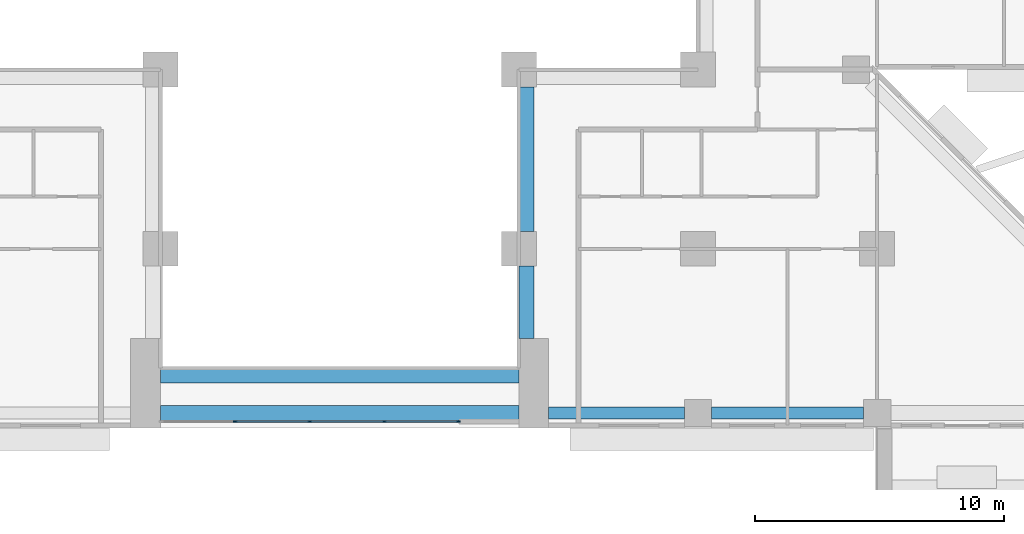
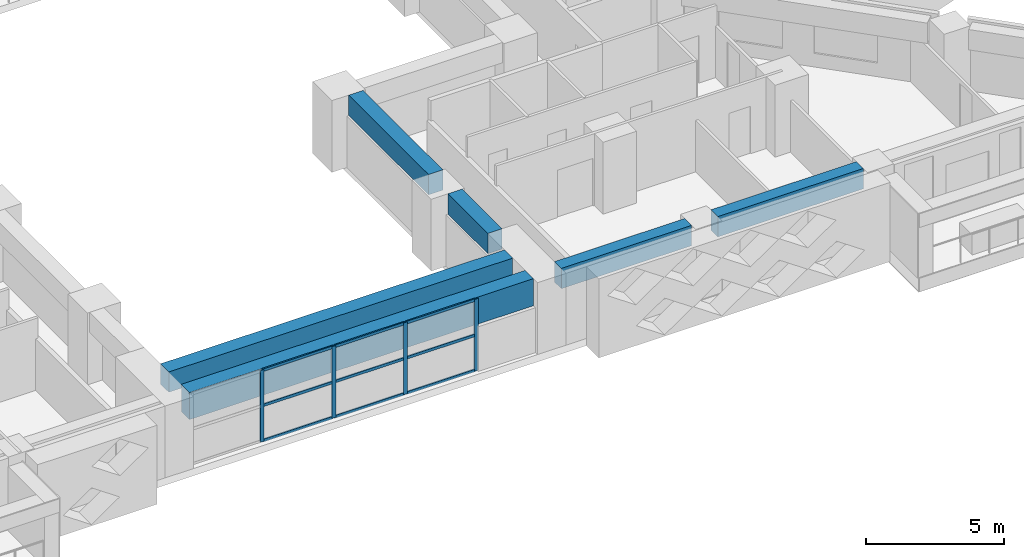
# One storey, part 4 of 17: 13 members, 6 beams, 1 element without a shape of its own.
"""IFC4 building model written with IfcOpenShell, lengths in metres."""

from ifc_helpers import new_model, si_unit, direction, frame, origin, origin_2d, place, context, subcontext, project, spatial, rectangle, extrude, source, transform, mapped, material, layer, layer_set, material_profile, profile_set, type_object, element, aggregate, save


model = new_model("IFC4")

# Units and contexts
model_context = context("Model", 3, precision=1e-05, world=origin(), true_north=direction((0.0, 1.0)))
body_context = subcontext(model_context, "Body", "Model", "MODEL_VIEW")
ifc_project = project(units=[si_unit("LENGTHUNIT", "METRE"), si_unit("AREAUNIT", "SQUARE_METRE"), si_unit("VOLUMEUNIT", "CUBIC_METRE"), si_unit("PLANEANGLEUNIT", "RADIAN"), si_unit("MASSUNIT", "GRAM", prefix="KILO")], contexts=[model_context])

# Site, building, storey
site_placement = place(None, origin())
site = spatial("IfcSite", under=ifc_project, at=site_placement, CompositionType="ELEMENT")
building_placement = place(site_placement, origin())
building = spatial("IfcBuilding", under=site, at=building_placement, Name="Saffron Iwan Residences", CompositionType="ELEMENT")
storey_placement = place(building_placement, frame((0.0, 0.0, 55.0)))
storey = spatial("IfcBuildingStorey", under=building, at=storey_placement, Name="L13", CompositionType="ELEMENT", Elevation=55.0)

# Beams
ifc_material_1 = material(Name="Concrete C60/75", Category="concrete")
ifc_material_profile_1 = material_profile(ifc_material_1, rectangle(XDim=0.5, YDim=0.89990234375, at=origin_2d()), Name="RC 500x900")
ifc_profile_set_1 = profile_set([ifc_material_profile_1], Name="Concrete C60/75")
beam_type_1 = type_object("IfcBeamType", Name="SPANDREL BEAM RC 500x900 C60/75 TOP 3180", PredefinedType="SPANDREL", material=ifc_profile_set_1)
shared_shape_1 = source(origin(), body_context, "Body", "SweptSolid", [
    extrude(rectangle(XDim=0.5, YDim=0.89990234375, at=origin_2d()), origin(), (0.0, 0.0, 1.0), 6.099853515625),
])
beam_1_placement = place(storey_placement, frame((71.449951171875, 34.199951171875, 2.72998046875), z_axis=(-1.0, 0.0, 0.0), x_axis=(0.0, -1.0, 0.0)))
element("IfcBeam", 1, at=beam_1_placement, inside=storey, type_object=beam_type_1, Name="Spandrel beam", PredefinedType="SPANDREL", context=body_context, shape_type="MappedRepresentation", body=[
    mapped(shared_shape_1, transform((0.0, 0.0, 0.0))),
])
shared_shape_2 = source(origin(), body_context, "Body", "SweptSolid", [
    extrude(rectangle(XDim=0.5, YDim=0.89990234375, at=origin_2d()), origin(), (0.0, 0.0, 1.0), 5.449951171875),
])
beam_2_placement = place(storey_placement, frame((64.25, 34.199951171875, 2.72998046875), z_axis=(-1.0, 0.0, 0.0), x_axis=(0.0, -1.0, 0.0)))
element("IfcBeam", 2, at=beam_2_placement, inside=storey, type_object=beam_type_1, Name="Spandrel beam", PredefinedType="SPANDREL", context=body_context, shape_type="MappedRepresentation", body=[
    mapped(shared_shape_2, transform((0.0, 0.0, 0.0))),
])
ifc_material_profile_2 = material_profile(ifc_material_1, rectangle(XDim=0.60009765625, YDim=1.199951171875, at=origin_2d()), Name="RC 600x1200")
ifc_profile_set_2 = profile_set([ifc_material_profile_2], Name="Concrete C60/75")
beam_type_2 = type_object("IfcBeamType", Name="LINTEL BEAM RC 600x1200 C60/75 TOP 3180", PredefinedType="LINTEL", material=ifc_profile_set_2)
shared_shape_3 = source(origin(), body_context, "Body", "SweptSolid", [
    extrude(rectangle(XDim=0.60009765625, YDim=1.199951171875, at=origin_2d()), origin(), (0.0, 0.0, 1.0), 14.400146484375),
])
beam_3_placement = place(storey_placement, frame((57.60009765625, 34.199951171875, 2.580078125), z_axis=(-1.0, 0.0, 0.0), x_axis=(0.0, -1.0, 0.0)))
element("IfcBeam", 3, at=beam_3_placement, inside=storey, type_object=beam_type_2, Name="Lintel beam over the iwan", PredefinedType="LINTEL", context=body_context, shape_type="MappedRepresentation", body=[
    mapped(shared_shape_3, transform((0.0, 0.0, 0.0))),
])
ifc_material_profile_3 = material_profile(ifc_material_1, rectangle(XDim=0.60009765625, YDim=0.89990234375, at=origin_2d()), Name="RC 600x900")
ifc_profile_set_3 = profile_set([ifc_material_profile_3], Name="Concrete C60/75")
beam_type_3 = type_object("IfcBeamType", Name="BEAM RC 600x900 C60/75 TOP 3180", PredefinedType="BEAM", material=ifc_profile_set_3)
shared_shape_4 = source(origin(), body_context, "Body", "SweptSolid", [
    extrude(rectangle(XDim=0.60009765625, YDim=0.89990234375, at=origin_2d()), origin(), (0.0, 0.0, 1.0), 14.400146484375),
])
beam_4_placement = place(storey_placement, frame((57.60009765625, 35.699951171875, 2.72998046875), z_axis=(-1.0, 0.0, 0.0), x_axis=(0.0, -1.0, 0.0)))
element("IfcBeam", 4, at=beam_4_placement, inside=storey, type_object=beam_type_3, Name="Atrium edge beam", PredefinedType="BEAM", context=body_context, shape_type="MappedRepresentation", body=[
    mapped(shared_shape_4, transform((0.0, 0.0, 0.0))),
])
shared_shape_5 = source(origin(), body_context, "Body", "SweptSolid", [
    extrude(rectangle(XDim=0.60009765625, YDim=0.89990234375, at=origin_2d()), origin(), (0.0, 0.0, 1.0), 2.900146484375),
])
beam_5_placement = place(storey_placement, frame((57.89990234375, 40.10009765625, 2.72998046875), z_axis=(0.0, -1.0, 0.0), x_axis=(1.0, 0.0, 0.0)))
element("IfcBeam", 5, at=beam_5_placement, inside=storey, type_object=beam_type_3, Name="Atrium edge beam", PredefinedType="BEAM", context=body_context, shape_type="MappedRepresentation", body=[
    mapped(shared_shape_5, transform((0.0, 0.0, 0.0))),
])
shared_shape_6 = source(origin(), body_context, "Body", "SweptSolid", [
    extrude(rectangle(XDim=0.60009765625, YDim=0.89990234375, at=origin_2d()), origin(), (0.0, 0.0, 1.0), 5.800048828125),
])
beam_6_placement = place(storey_placement, frame((57.89990234375, 47.300048828125, 2.72998046875), z_axis=(0.0, -1.0, 0.0), x_axis=(1.0, 0.0, 0.0)))
element("IfcBeam", 6, at=beam_6_placement, inside=storey, type_object=beam_type_3, Name="Atrium edge beam", PredefinedType="BEAM", context=body_context, shape_type="MappedRepresentation", body=[
    mapped(shared_shape_6, transform((0.0, 0.0, 0.0))),
])

# Curtain wall, members
ifc_material_2 = material(Name="Clear glass, laminated double glazed", Category="glass")
ifc_layer = layer(ifc_material_2, 0.199951171875)
ifc_layer_set = layer_set([ifc_layer], Name="Clear glass, laminated double glazed")
curtain_wall_type = type_object("IfcCurtainWallType", Name="CW-B IWAN PORTAL", PredefinedType="NOTDEFINED", material=ifc_layer_set)
curtain_wall_placement = place(storey_placement, origin())
curtain_wall = element("IfcCurtainWall", 7, at=curtain_wall_placement, inside=storey, type_object=curtain_wall_type, Name="Iwan portal glazing L13.1", PredefinedType="NOTDEFINED")
ifc_material_3 = material(Name="Aluminium 6063-T6", Category="aluminium")
ifc_material_profile_4 = material_profile(ifc_material_3, rectangle(XDim=0.06005859375, YDim=0.159912109375, at=origin_2d()), Name="CW-B MULLION 60 x 160")
ifc_profile_set_4 = profile_set([ifc_material_profile_4], Name="Aluminium 6063-T6")
member_type_1 = type_object("IfcMemberType", Name="CW-B MULLION 60 x 160", PredefinedType="MULLION", material=ifc_profile_set_4)
shared_shape_7 = source(origin(), body_context, "Body", "SweptSolid", [
    extrude(rectangle(XDim=0.06005859375, YDim=0.159912109375, at=origin_2d()), origin(), (0.0, 0.0, 1.0), 3.179931640625),
])
member_1_placement = place(storey_placement, frame((46.199951171875, 33.85009765625, 0.0), z_axis=(0.0, 0.0, 1.0), x_axis=(0.0, 1.0, 0.0)))
member_1 = element("IfcMember", 8, at=member_1_placement, type_object=member_type_1, Name="CW-B mullion 2", PredefinedType="MULLION", context=body_context, shape_type="MappedRepresentation", body=[
    mapped(shared_shape_7, transform((0.0, 0.0, 0.0))),
])
member_2_placement = place(storey_placement, frame((49.199951171875, 33.85009765625, 0.0), z_axis=(0.0, 0.0, 1.0), x_axis=(0.0, 1.0, 0.0)))
member_2 = element("IfcMember", 9, at=member_2_placement, type_object=member_type_1, Name="CW-B mullion 3", PredefinedType="MULLION", context=body_context, shape_type="MappedRepresentation", body=[
    mapped(shared_shape_7, transform((0.0, 0.0, 0.0))),
])
member_3_placement = place(storey_placement, frame((52.199951171875, 33.85009765625, 0.0), z_axis=(0.0, 0.0, 1.0), x_axis=(0.0, 1.0, 0.0)))
member_3 = element("IfcMember", 10, at=member_3_placement, type_object=member_type_1, Name="CW-B mullion 4", PredefinedType="MULLION", context=body_context, shape_type="MappedRepresentation", body=[
    mapped(shared_shape_7, transform((0.0, 0.0, 0.0))),
])
member_4_placement = place(storey_placement, frame((55.169921875, 33.85009765625, 0.0), z_axis=(0.0, 0.0, 1.0), x_axis=(0.0, 1.0, 0.0)))
member_4 = element("IfcMember", 11, at=member_4_placement, type_object=member_type_1, Name="CW-B mullion 5", PredefinedType="MULLION", context=body_context, shape_type="MappedRepresentation", body=[
    mapped(shared_shape_7, transform((0.0, 0.0, 0.0))),
])
ifc_material_profile_5 = material_profile(ifc_material_3, rectangle(XDim=0.06005859375, YDim=0.1201171875, at=origin_2d()), Name="CW-B TRANSOM 60 x 120")
ifc_profile_set_5 = profile_set([ifc_material_profile_5], Name="Aluminium 6063-T6")
member_type_2 = type_object("IfcMemberType", Name="CW-B TRANSOM 60 x 120", PredefinedType="USERDEFINED", material=ifc_profile_set_5)
shared_shape_8 = source(origin(), body_context, "Body", "SweptSolid", [
    extrude(rectangle(XDim=0.06005859375, YDim=0.1201171875, at=origin_2d()), origin(), (0.0, 0.0, 1.0), 2.909912109375),
])
member_5_placement = place(storey_placement, frame((52.22998046875, 33.85009765625, 0.030029296875), z_axis=(1.0, 0.0, 0.0), x_axis=(0.0, 1.0, 0.0)))
member_5 = element("IfcMember", 12, at=member_5_placement, type_object=member_type_2, Name="CW-B transom 4.1", ObjectType="TRANSOM", PredefinedType="USERDEFINED", context=body_context, shape_type="MappedRepresentation", body=[
    mapped(shared_shape_8, transform((0.0, 0.0, 0.0))),
])
member_6_placement = place(storey_placement, frame((52.22998046875, 33.85009765625, 1.590087890625), z_axis=(1.0, 0.0, 0.0), x_axis=(0.0, 1.0, 0.0)))
member_6 = element("IfcMember", 13, at=member_6_placement, type_object=member_type_2, Name="CW-B transom 4.2", ObjectType="TRANSOM", PredefinedType="USERDEFINED", context=body_context, shape_type="MappedRepresentation", body=[
    mapped(shared_shape_8, transform((0.0, 0.0, 0.0))),
])
member_7_placement = place(storey_placement, frame((52.22998046875, 33.85009765625, 3.14990234375), z_axis=(1.0, 0.0, 0.0), x_axis=(0.0, 1.0, 0.0)))
member_7 = element("IfcMember", 14, at=member_7_placement, type_object=member_type_2, Name="CW-B transom 4.3", ObjectType="TRANSOM", PredefinedType="USERDEFINED", context=body_context, shape_type="MappedRepresentation", body=[
    mapped(shared_shape_8, transform((0.0, 0.0, 0.0))),
])
shared_shape_9 = source(origin(), body_context, "Body", "SweptSolid", [
    extrude(rectangle(XDim=0.06005859375, YDim=0.1201171875, at=origin_2d()), origin(), (0.0, 0.0, 1.0), 2.93994140625),
])
member_8_placement = place(storey_placement, frame((46.22998046875, 33.85009765625, 0.030029296875), z_axis=(1.0, 0.0, 0.0), x_axis=(0.0, 1.0, 0.0)))
member_8 = element("IfcMember", 15, at=member_8_placement, type_object=member_type_2, Name="CW-B transom 2.1", ObjectType="TRANSOM", PredefinedType="USERDEFINED", context=body_context, shape_type="MappedRepresentation", body=[
    mapped(shared_shape_9, transform((0.0, 0.0, 0.0))),
])
member_9_placement = place(storey_placement, frame((46.22998046875, 33.85009765625, 1.590087890625), z_axis=(1.0, 0.0, 0.0), x_axis=(0.0, 1.0, 0.0)))
member_9 = element("IfcMember", 16, at=member_9_placement, type_object=member_type_2, Name="CW-B transom 2.2", ObjectType="TRANSOM", PredefinedType="USERDEFINED", context=body_context, shape_type="MappedRepresentation", body=[
    mapped(shared_shape_9, transform((0.0, 0.0, 0.0))),
])
member_10_placement = place(storey_placement, frame((46.22998046875, 33.85009765625, 3.14990234375), z_axis=(1.0, 0.0, 0.0), x_axis=(0.0, 1.0, 0.0)))
member_10 = element("IfcMember", 17, at=member_10_placement, type_object=member_type_2, Name="CW-B transom 2.3", ObjectType="TRANSOM", PredefinedType="USERDEFINED", context=body_context, shape_type="MappedRepresentation", body=[
    mapped(shared_shape_9, transform((0.0, 0.0, 0.0))),
])
member_11_placement = place(storey_placement, frame((49.22998046875, 33.85009765625, 0.030029296875), z_axis=(1.0, 0.0, 0.0), x_axis=(0.0, 1.0, 0.0)))
member_11 = element("IfcMember", 18, at=member_11_placement, type_object=member_type_2, Name="CW-B transom 3.1", ObjectType="TRANSOM", PredefinedType="USERDEFINED", context=body_context, shape_type="MappedRepresentation", body=[
    mapped(shared_shape_9, transform((0.0, 0.0, 0.0))),
])
member_12_placement = place(storey_placement, frame((49.22998046875, 33.85009765625, 1.590087890625), z_axis=(1.0, 0.0, 0.0), x_axis=(0.0, 1.0, 0.0)))
member_12 = element("IfcMember", 19, at=member_12_placement, type_object=member_type_2, Name="CW-B transom 3.2", ObjectType="TRANSOM", PredefinedType="USERDEFINED", context=body_context, shape_type="MappedRepresentation", body=[
    mapped(shared_shape_9, transform((0.0, 0.0, 0.0))),
])
member_13_placement = place(storey_placement, frame((49.22998046875, 33.85009765625, 3.14990234375), z_axis=(1.0, 0.0, 0.0), x_axis=(0.0, 1.0, 0.0)))
member_13 = element("IfcMember", 20, at=member_13_placement, type_object=member_type_2, Name="CW-B transom 3.3", ObjectType="TRANSOM", PredefinedType="USERDEFINED", context=body_context, shape_type="MappedRepresentation", body=[
    mapped(shared_shape_9, transform((0.0, 0.0, 0.0))),
])
aggregate(curtain_wall, [member_1, member_2, member_3, member_4, member_8, member_9, member_10, member_11, member_12, member_13, member_5, member_6, member_7])

save(model, "model.ifc")
